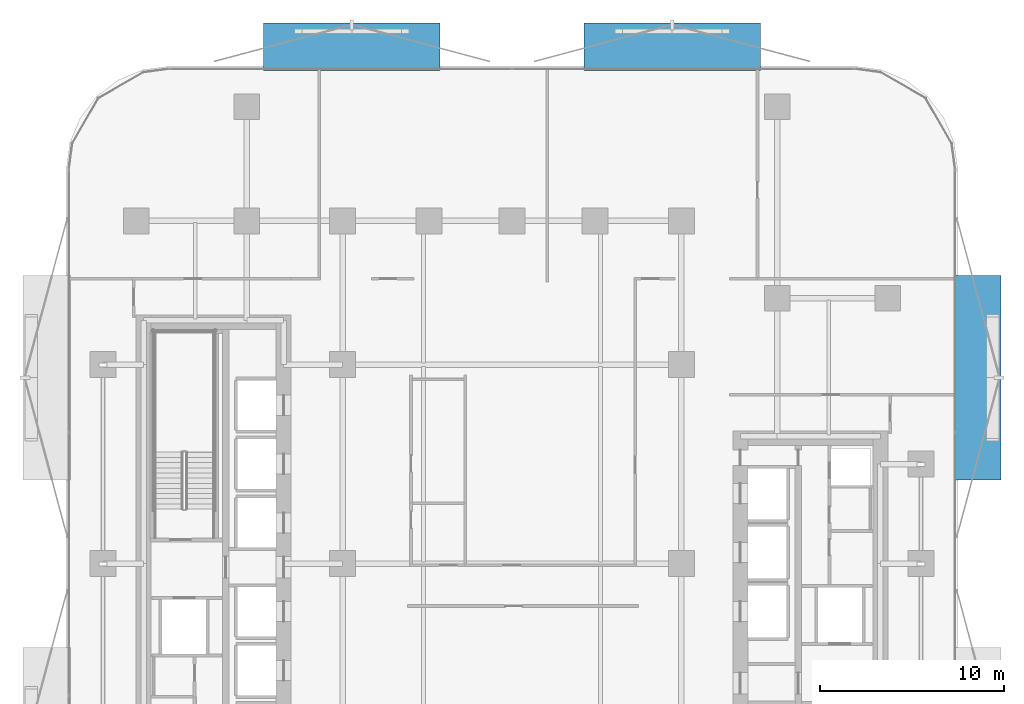
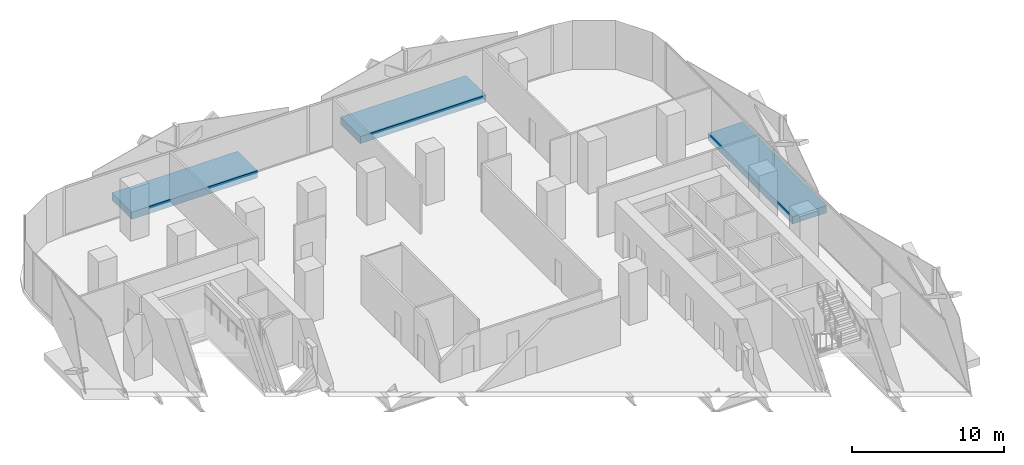
# One storey, part 7 of 16: 3 discrete accessories.
"""IFC4 building model written with IfcOpenShell, lengths in metres."""

from ifc_helpers import new_model, si_unit, direction, frame, origin, origin_2d, place, context, subcontext, project, spatial, rectangle, extrude, material, type_object, element, save


model = new_model("IFC4")

# Units and contexts
model_context = context("Model", 3, precision=1e-05, world=origin(), true_north=direction((0.0, 1.0)))
body_context = subcontext(model_context, "Body", "Model", "MODEL_VIEW")
ifc_project = project(units=[si_unit("LENGTHUNIT", "METRE"), si_unit("AREAUNIT", "SQUARE_METRE"), si_unit("VOLUMEUNIT", "CUBIC_METRE"), si_unit("PLANEANGLEUNIT", "RADIAN"), si_unit("MASSUNIT", "GRAM", prefix="KILO")], contexts=[model_context])

# Site, building, storey
site_placement = place(None, origin())
site = spatial("IfcSite", under=ifc_project, at=site_placement, CompositionType="ELEMENT")
building_placement = place(site_placement, origin())
building = spatial("IfcBuilding", under=site, at=building_placement, Name="Khairoan Windgate Tower", CompositionType="ELEMENT")
storey_placement = place(building_placement, frame((0.0, 0.0, 55.39990234375)))
storey = spatial("IfcBuildingStorey", under=building, at=storey_placement, Name="L13", CompositionType="ELEMENT", Elevation=55.39990234375)

# Discrete accessories
ifc_material = material(Name="Steel S355", Category="steel")
discrete_accessory_type = type_object("IfcDiscreteAccessoryType", Name="Solar Screen Outrigger Slab Bracket SSB-1", PredefinedType="BRACKET", material=ifc_material)
for number, where, z_axis, x_axis, name in (
    (1, (-8.6953125, 28.06005859375, -0.419921875), (0.0, 0.0, 1.0), (1.0, 0.0, 0.0), "L13 Solar Screen Outrigger Bracket 61"),
    (2, (8.6953125, 28.06005859375, -0.419921875), (0.0, 0.0, 1.0), (1.0, 0.0, 0.0), "L13 Solar Screen Outrigger Bracket 62"),
):
    element("IfcDiscreteAccessory", number, at=place(storey_placement, frame(where, z_axis=z_axis, x_axis=x_axis)), inside=storey, type_object=discrete_accessory_type, Name=name, PredefinedType="BRACKET", context=body_context, shape_type="SweptSolid", body=[
        extrude(rectangle(XDim=9.56494140625, YDim=2.60009765625, at=origin_2d()), origin(), (0.0, 0.0, 1.0), 0.580078125),
    ])
discrete_accessory_placement = place(storey_placement, frame((25.260009765625, 10.095458984375, -0.419921875), z_axis=(0.0, 0.0, 1.0), x_axis=(0.0, -1.0, 0.0)))
element("IfcDiscreteAccessory", 3, at=discrete_accessory_placement, inside=storey, type_object=discrete_accessory_type, Name="L13 Solar Screen Outrigger Bracket 63", PredefinedType="BRACKET", context=body_context, shape_type="SweptSolid", body=[
    extrude(rectangle(XDim=11.10498046875, YDim=2.60009765625, at=origin_2d()), origin(), (0.0, 0.0, 1.0), 0.580078125),
])

save(model, "model.ifc")
